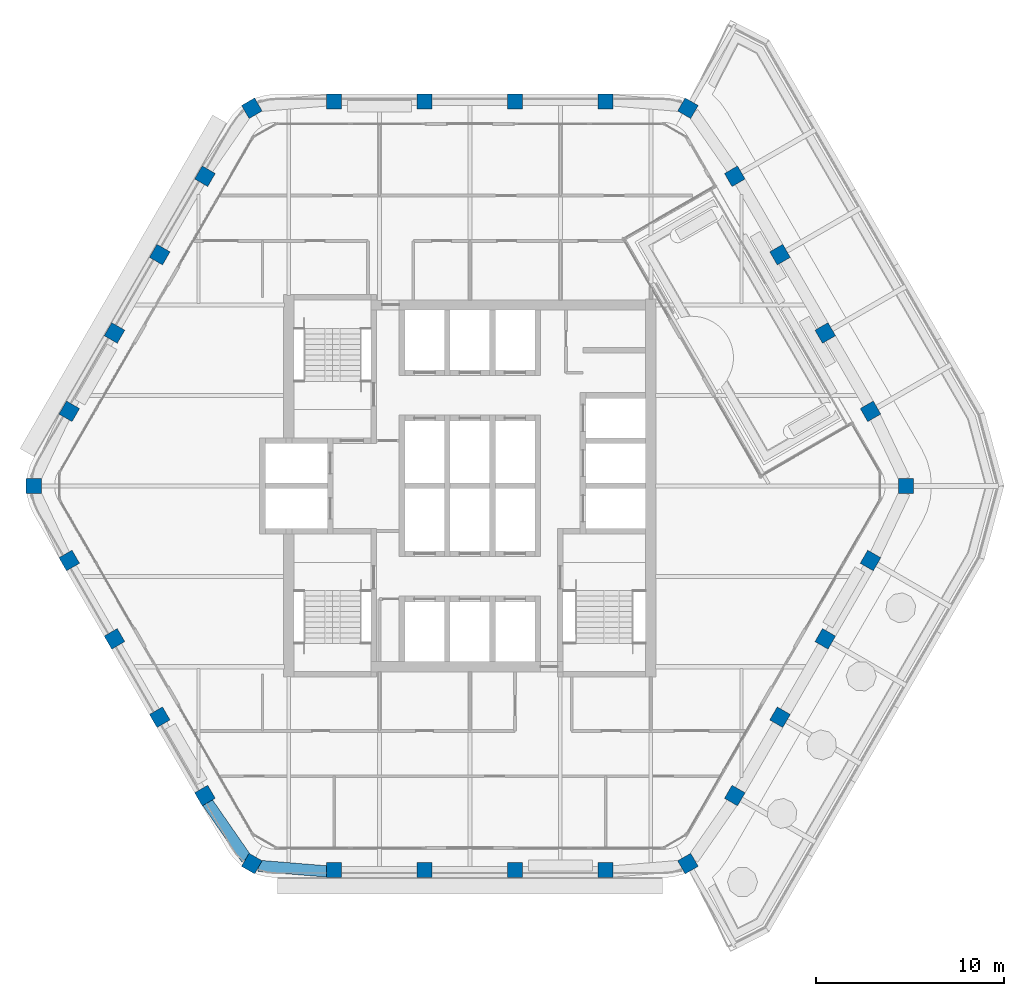
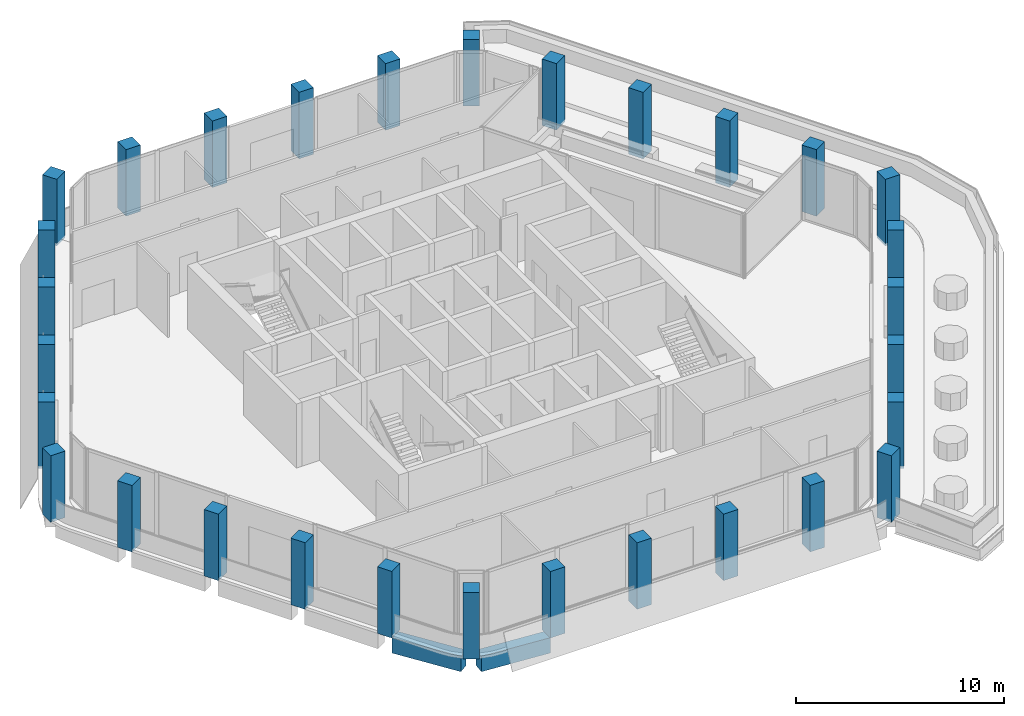
# One storey, part 1 of 17: 30 columns, 2 beams.
"""IFC4 building model written with IfcOpenShell, lengths in metres."""

from ifc_helpers import new_model, si_unit, direction, frame, origin, origin_2d, place, context, subcontext, project, spatial, rectangle, extrude, material, material_profile, profile_set, type_object, element, save


model = new_model("IFC4")

# Units and contexts
model_context = context("Model", 3, precision=1e-05, world=origin(), true_north=direction((0.0, 1.0)))
body_context = subcontext(model_context, "Body", "Model", "MODEL_VIEW")
ifc_project = project(units=[si_unit("LENGTHUNIT", "METRE"), si_unit("AREAUNIT", "SQUARE_METRE"), si_unit("VOLUMEUNIT", "CUBIC_METRE"), si_unit("PLANEANGLEUNIT", "RADIAN"), si_unit("MASSUNIT", "GRAM", prefix="KILO")], contexts=[model_context])

# Site, building, storey
site_placement = place(None, origin())
site = spatial("IfcSite", under=ifc_project, at=site_placement, CompositionType="ELEMENT")
building_placement = place(site_placement, origin())
building = spatial("IfcBuilding", under=site, at=building_placement, Name="Kolab Exchange Tower", CompositionType="ELEMENT")
storey_placement = place(building_placement, frame((0.0, 0.0, 285.199951171875)))
storey = spatial("IfcBuildingStorey", under=building, at=storey_placement, Name="L64", CompositionType="ELEMENT", Elevation=285.199951171875)

# Columns
ifc_material = material(Name="Concrete C50/60", Category="concrete")
ifc_material_profile_1 = material_profile(ifc_material, rectangle(XDim=0.800048828125, YDim=0.800048828125, at=origin_2d()), Name="RC800")
ifc_profile_set_1 = profile_set([ifc_material_profile_1], Name="Concrete C50/60")
column_type = type_object("IfcColumnType", Name="PERIMETER COLUMN 800 SQ C50/60", PredefinedType="COLUMN", material=ifc_profile_set_1)
for number, where, z_axis, x_axis, name in (
    (1, (-11.56787109375, 20.036376953125, -0.14990234375), (0.0, 0.0, 1.0), (0.866025403784, 0.5, 0.0), "col/L64/F1-01"),
    (2, (-7.199951171875, 20.384521484375, -0.14990234375), (0.0, 0.0, 1.0), (1.0, 0.0, 0.0), "col/L64/F1-02"),
    (3, (-2.39990234375, 20.384521484375, -0.14990234375), (0.0, 0.0, 1.0), (1.0, 0.0, 0.0), "col/L64/F1-03"),
    (4, (2.39990234375, 20.384521484375, -0.14990234375), (0.0, 0.0, 1.0), (1.0, 0.0, 0.0), "col/L64/F1-04"),
    (5, (7.199951171875, 20.384521484375, -0.14990234375), (0.0, 0.0, 1.0), (1.0, 0.0, 0.0), "col/L64/F1-05"),
    (6, (11.56787109375, 20.036376953125, -0.14990234375), (0.0, 0.0, 1.0), (0.5, 0.866025403784, 0.0), "col/L64/F2-01"),
    (7, (14.0537109375, 16.427734375, -0.14990234375), (0.0, 0.0, 1.0), (0.866025403784, 0.5, 0.0), "col/L64/F2-02"),
    (8, (16.45361328125, 12.270751953125, -0.14990234375), (0.0, 0.0, 1.0), (0.866025403784, 0.5, 0.0), "col/L64/F2-03"),
    (9, (18.853515625, 8.11376953125, -0.14990234375), (0.0, 0.0, 1.0), (0.866025403784, 0.5, 0.0), "col/L64/F2-04"),
    (10, (21.253662109375, 3.95703125, -0.14990234375), (0.0, 0.0, 1.0), (0.866025403784, 0.5, 0.0), "col/L64/F2-05"),
    (11, (23.135986328125, 0.0, -0.14990234375), (0.0, 0.0, 1.0), (1.0, 0.0, 0.0), "col/L64/F3-01"),
    (12, (21.253662109375, -3.95703125, -0.14990234375), (0.0, 0.0, 1.0), (0.5, 0.866025403784, 0.0), "col/L64/F3-02"),
    (13, (18.853515625, -8.11376953125, -0.14990234375), (0.0, 0.0, 1.0), (0.5, 0.866025403784, 0.0), "col/L64/F3-03"),
    (14, (16.45361328125, -12.270751953125, -0.14990234375), (0.0, 0.0, 1.0), (0.5, 0.866025403784, 0.0), "col/L64/F3-04"),
    (15, (14.0537109375, -16.427734375, -0.14990234375), (0.0, 0.0, 1.0), (0.5, 0.866025403784, 0.0), "col/L64/F3-05"),
    (16, (11.56787109375, -20.036376953125, -0.14990234375), (0.0, 0.0, 1.0), (0.866025403784, 0.5, 0.0), "col/L64/F4-01"),
    (17, (7.199951171875, -20.384521484375, -0.14990234375), (0.0, 0.0, 1.0), (1.0, 0.0, 0.0), "col/L64/F4-02"),
    (18, (2.39990234375, -20.384521484375, -0.14990234375), (0.0, 0.0, 1.0), (1.0, 0.0, 0.0), "col/L64/F4-03"),
    (19, (-2.39990234375, -20.384521484375, -0.14990234375), (0.0, 0.0, 1.0), (1.0, 0.0, 0.0), "col/L64/F4-04"),
    (20, (-7.199951171875, -20.384521484375, -0.14990234375), (0.0, 0.0, 1.0), (1.0, 0.0, 0.0), "col/L64/F4-05"),
    (21, (-11.56787109375, -20.036376953125, -0.14990234375), (0.0, 0.0, 1.0), (0.5, 0.866025403784, 0.0), "col/L64/F5-01"),
    (22, (-14.0537109375, -16.427734375, -0.14990234375), (0.0, 0.0, 1.0), (0.866025403784, 0.5, 0.0), "col/L64/F5-02"),
    (23, (-16.45361328125, -12.270751953125, -0.14990234375), (0.0, 0.0, 1.0), (0.866025403784, 0.5, 0.0), "col/L64/F5-03"),
    (24, (-18.853515625, -8.11376953125, -0.14990234375), (0.0, 0.0, 1.0), (0.866025403784, 0.5, 0.0), "col/L64/F5-04"),
    (25, (-21.253662109375, -3.95703125, -0.14990234375), (0.0, 0.0, 1.0), (0.866025403784, 0.5, 0.0), "col/L64/F5-05"),
    (26, (-23.135986328125, 0.0, -0.14990234375), (0.0, 0.0, 1.0), (1.0, 0.0, 0.0), "col/L64/F6-01"),
    (27, (-21.253662109375, 3.95703125, -0.14990234375), (0.0, 0.0, 1.0), (0.5, 0.866025403784, 0.0), "col/L64/F6-02"),
    (28, (-18.853515625, 8.11376953125, -0.14990234375), (0.0, 0.0, 1.0), (0.5, 0.866025403784, 0.0), "col/L64/F6-03"),
    (29, (-16.45361328125, 12.270751953125, -0.14990234375), (0.0, 0.0, 1.0), (0.5, 0.866025403784, 0.0), "col/L64/F6-04"),
    (30, (-14.0537109375, 16.427734375, -0.14990234375), (0.0, 0.0, 1.0), (0.5, 0.866025403784, 0.0), "col/L64/F6-05"),
):
    element("IfcColumn", number, at=place(storey_placement, frame(where, z_axis=z_axis, x_axis=x_axis)), inside=storey, type_object=column_type, Name=name, PredefinedType="COLUMN", context=body_context, shape_type="SweptSolid", body=[
        extrude(rectangle(XDim=0.800048828125, YDim=0.800048828125, at=origin_2d()), origin(), (0.0, 0.0, 1.0), 3.89990234375),
    ])

# Beams
ifc_material_profile_2 = material_profile(ifc_material, rectangle(XDim=0.60009765625, YDim=0.89990234375, at=origin_2d()), Name="RC600X900")
ifc_profile_set_2 = profile_set([ifc_material_profile_2], Name="Concrete C50/60")
beam_type = type_object("IfcBeamType", Name="SPANDREL BEAM 600X900 C50/60", PredefinedType="BEAM", material=ifc_profile_set_2)
for number, where, z_axis, x_axis, name in (
    (31, (-7.56005859375, -20.455078125, -0.599853515625), (-0.996666751878, 0.081580547323, 0.0), (-0.081580547323, -0.996666751878, 0.0), "beam/L64/sp/F4-05"),
    (32, (-11.846923828125, -19.7919921875, -0.599853515625), (-0.569005808573, 0.822333502789, 0.0), (-0.822333502789, -0.569005808573, 0.0), "beam/L64/sp/F5-01"),
):
    element("IfcBeam", number, at=place(storey_placement, frame(where, z_axis=z_axis, x_axis=x_axis)), inside=storey, type_object=beam_type, Name=name, PredefinedType="BEAM", context=body_context, shape_type="SweptSolid", body=[
        extrude(rectangle(XDim=0.60009765625, YDim=0.89990234375, at=origin_2d()), origin(), (0.0, 0.0, 1.0), 3.6689453125),
    ])

save(model, "model.ifc")
